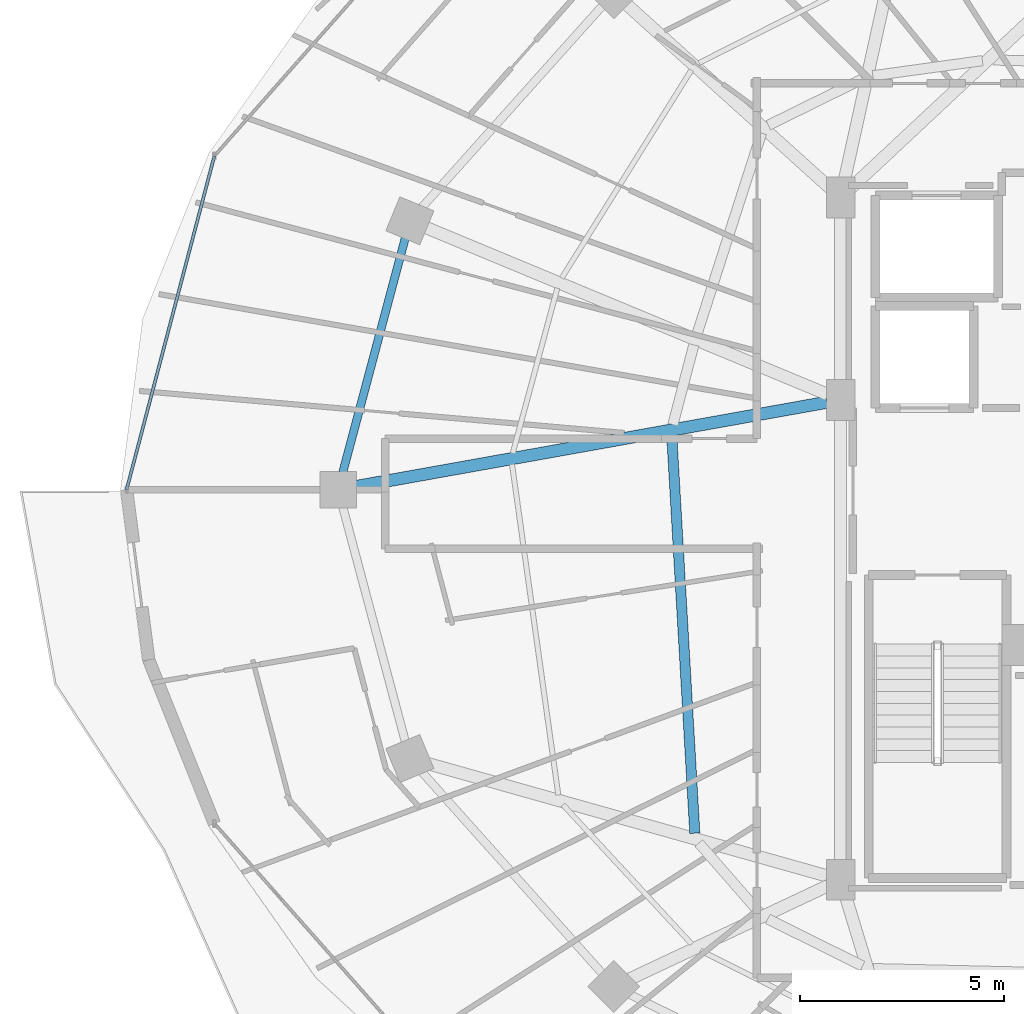
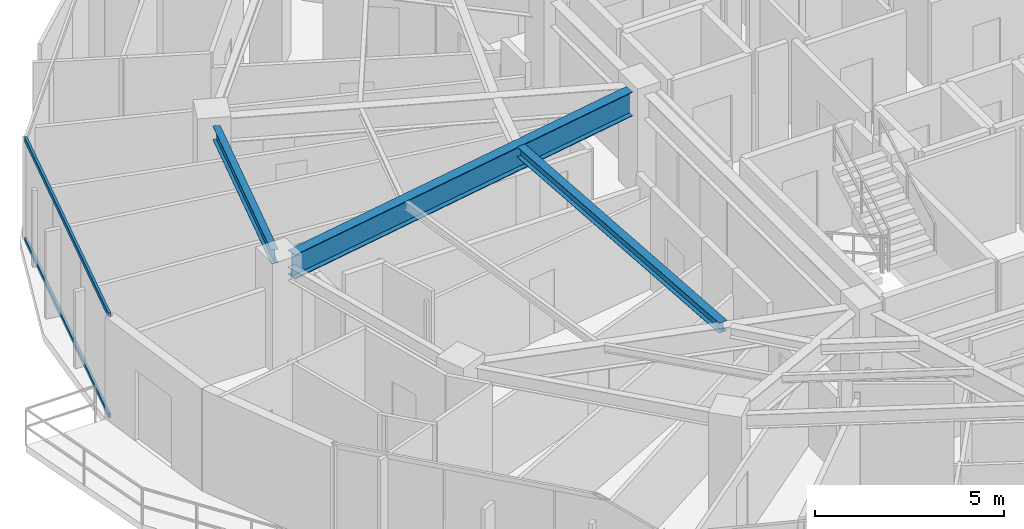
# One storey, part 8 of 33: 3 beams, 2 members, 1 element without a shape of its own.
"""IFC4 building model written with IfcOpenShell, lengths in metres."""

from ifc_helpers import new_model, si_unit, direction, frame, origin, origin_2d, place, context, subcontext, project, spatial, hollow_rectangle, i_section, extrude, material, material_profile, profile_set, type_object, element, aggregate, save


model = new_model("IFC4")

# Units and contexts
model_context = context("Model", 3, precision=1e-05, world=origin(), true_north=direction((0.0, 1.0)))
body_context = subcontext(model_context, "Body", "Model", "MODEL_VIEW")
ifc_project = project(units=[si_unit("LENGTHUNIT", "METRE"), si_unit("AREAUNIT", "SQUARE_METRE"), si_unit("VOLUMEUNIT", "CUBIC_METRE"), si_unit("PLANEANGLEUNIT", "RADIAN"), si_unit("MASSUNIT", "GRAM", prefix="KILO")], contexts=[model_context])

# Site, building, storey
site_placement = place(None, origin())
site = spatial("IfcSite", under=ifc_project, at=site_placement, CompositionType="ELEMENT")
building_placement = place(site_placement, origin())
building = spatial("IfcBuilding", under=site, at=building_placement, Name="Vorneva Point Tower", CompositionType="ELEMENT")
storey_placement = place(building_placement, frame((0.0, 0.0, 203.64990234375)))
storey = spatial("IfcBuildingStorey", under=building, at=storey_placement, Name="L55", CompositionType="ELEMENT", Elevation=203.64990234375)

# Beams
ifc_material_1 = material(Name="Steel S355", Category="steel")
ifc_material_profile_1 = material_profile(ifc_material_1, i_section(OverallWidth=0.300048828125, OverallDepth=0.7880859375, WebThickness=0.014404296875, FlangeThickness=0.02197265625, at=origin_2d()), Name="80Sh1")
ifc_profile_set_1 = profile_set([ifc_material_profile_1], Name="Steel S355")
beam_type_1 = type_object("IfcBeamType", Name="BM-GRD-80Sh1", PredefinedType="USERDEFINED", material=ifc_profile_set_1)
beam_1_placement = place(storey_placement, frame((15.381103515625, 26.0771484375, 2.89599609375), z_axis=(0.984378602255, 0.176064668298, 0.0), x_axis=(-0.176064668298, 0.984378602255, 0.0)))
element("IfcBeam", 1, at=beam_1_placement, inside=storey, type_object=beam_type_1, Name="L55 Radial Primary Girder 09", ObjectType="GIRDER", PredefinedType="USERDEFINED", context=body_context, shape_type="SweptSolid", body=[
    extrude(i_section(OverallWidth=0.300048828125, OverallDepth=0.7880859375, WebThickness=0.014404296875, FlangeThickness=0.02197265625, at=origin_2d()), origin(), (0.0, 0.0, 1.0), 11.71728515625),
])
ifc_material_profile_2 = material_profile(ifc_material_1, i_section(OverallWidth=0.2490234375, OverallDepth=0.333984375, WebThickness=0.008056640625, FlangeThickness=0.010986328125, at=origin_2d()), Name="35Sh1")
ifc_profile_set_2 = profile_set([ifc_material_profile_2], Name="Steel S355")
beam_type_2 = type_object("IfcBeamType", Name="BM-SEC-35Sh1", PredefinedType="BEAM", material=ifc_profile_set_2)
beam_2_placement = place(storey_placement, frame((23.116943359375, 27.321533203125, 3.123046875), z_axis=(0.057952710054, -0.998319329372, 0.0), x_axis=(0.998319329372, 0.057952710054, 0.0)))
element("IfcBeam", 2, at=beam_2_placement, inside=storey, type_object=beam_type_2, Name="L55 Secondary Floor Beam 2.09", PredefinedType="BEAM", context=body_context, shape_type="SweptSolid", body=[
    extrude(i_section(OverallWidth=0.2490234375, OverallDepth=0.333984375, WebThickness=0.008056640625, FlangeThickness=0.010986328125, at=origin_2d()), origin(), (0.0, 0.0, 1.0), 9.748291015625),
])
ifc_material_profile_3 = material_profile(ifc_material_1, i_section(OverallWidth=0.198974609375, OverallDepth=0.446044921875, WebThickness=0.008056640625, FlangeThickness=0.011962890625, at=origin_2d()), Name="45B1")
ifc_profile_set_3 = profile_set([ifc_material_profile_3], Name="Steel S355")
beam_type_3 = type_object("IfcBeamType", Name="BM-SPN-45B1", PredefinedType="SPANDREL", material=ifc_profile_set_3)
beam_3_placement = place(storey_placement, frame((16.592529296875, 32.161865234375, 3.067138671875), z_axis=(-0.257578258003, -0.966257440336, 0.0), x_axis=(0.966257440336, -0.257578258003, 0.0)))
element("IfcBeam", 3, at=beam_3_placement, inside=storey, type_object=beam_type_3, Name="L55 Perimeter Spandrel Ring Beam 08", PredefinedType="SPANDREL", context=body_context, shape_type="SweptSolid", body=[
    extrude(i_section(OverallWidth=0.198974609375, OverallDepth=0.446044921875, WebThickness=0.008056640625, FlangeThickness=0.011962890625, at=origin_2d()), origin(), (0.0, 0.0, 1.0), 5.94189453125),
])

# Curtain wall, members
ifc_material_2 = material(Name="Pale anodised aluminium", Category="aluminium")
curtain_wall_type = type_object("IfcCurtainWallType", Name="CW-RES-SYS", PredefinedType="NOTDEFINED", material=ifc_material_2)
curtain_wall_placement = place(storey_placement, origin())
curtain_wall = element("IfcCurtainWall", 4, at=curtain_wall_placement, inside=storey, type_object=curtain_wall_type, Name="L55 Unitised Curtain Wall CW-L55-R02", PredefinedType="NOTDEFINED")
ifc_material_profile_4 = material_profile(ifc_material_2, hollow_rectangle(XDim=0.074951171875, YDim=0.14990234375, WallThickness=0.00390625, at=origin_2d()), Name="AL-TRN 150x75x4")
ifc_profile_set_4 = profile_set([ifc_material_profile_4], Name="Pale anodised aluminium")
member_type = type_object("IfcMemberType", Name="CW-TRN-150", PredefinedType="USERDEFINED", material=ifc_profile_set_4)
member_1_placement = place(storey_placement, frame((11.9189453125, 34.17041015625, 0.02001953125), z_axis=(-0.254362431281, -0.967108966742, 0.0), x_axis=(0.967108966742, -0.254362431281, 0.0)))
member_1 = element("IfcMember", 5, at=member_1_placement, type_object=member_type, Name="CW-L55-R02 Transom 02.1", ObjectType="TRANSOM", PredefinedType="USERDEFINED", context=body_context, shape_type="SweptSolid", body=[
    extrude(hollow_rectangle(XDim=0.074951171875, YDim=0.14990234375, WallThickness=0.00390625, at=origin_2d()), origin(), (0.0, 0.0, 1.0), 8.4482421875),
])
member_2_placement = place(storey_placement, frame((11.9189453125, 34.17041015625, 3.27001953125), z_axis=(-0.254362431281, -0.967108966742, 0.0), x_axis=(0.967108966742, -0.254362431281, 0.0)))
member_2 = element("IfcMember", 6, at=member_2_placement, type_object=member_type, Name="CW-L55-R02 Transom 02.2", ObjectType="TRANSOM", PredefinedType="USERDEFINED", context=body_context, shape_type="SweptSolid", body=[
    extrude(hollow_rectangle(XDim=0.074951171875, YDim=0.14990234375, WallThickness=0.00390625, at=origin_2d()), origin(), (0.0, 0.0, 1.0), 8.4482421875),
])
aggregate(curtain_wall, [member_1, member_2])

save(model, "model.ifc")
